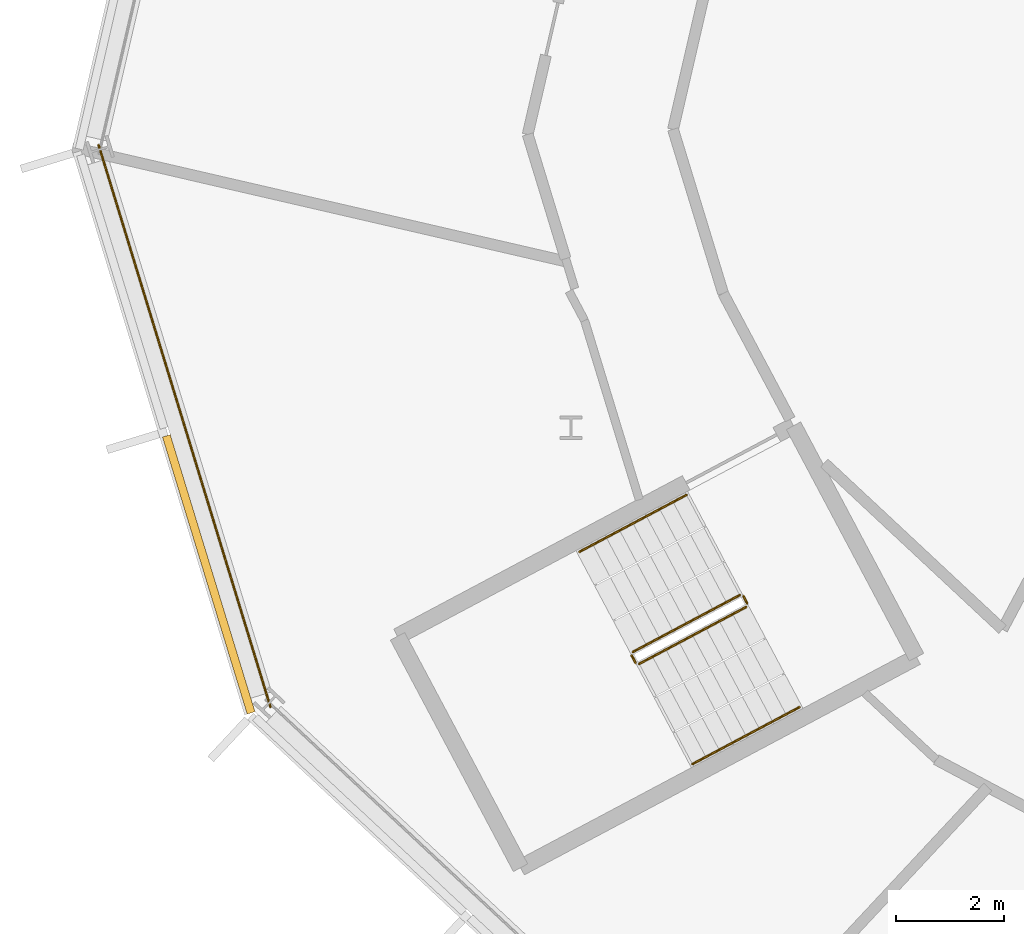
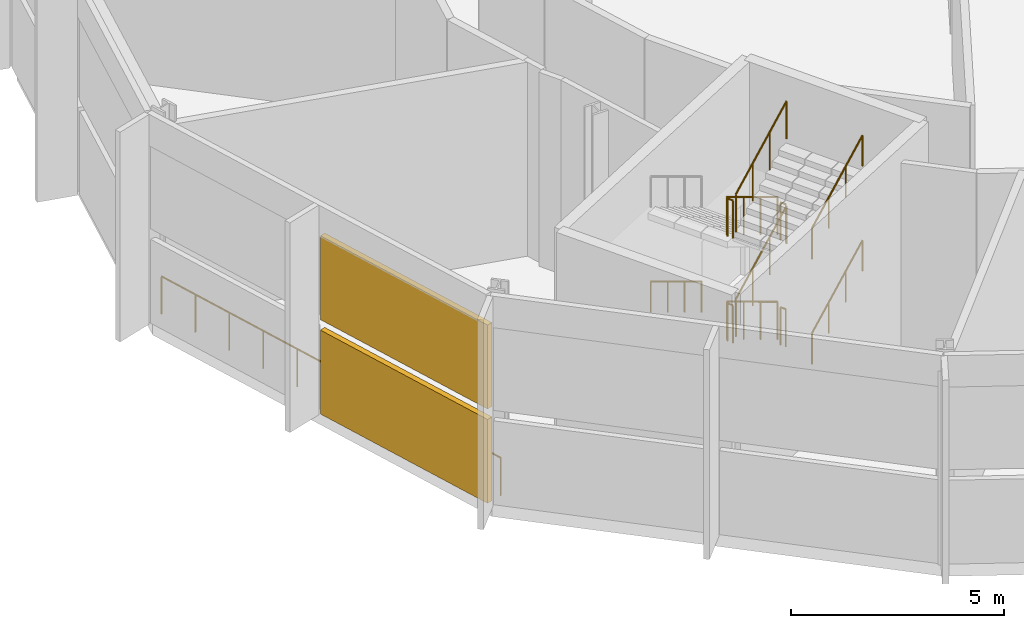
# One storey, part 24 of 33: 12 railings, 2 shading devices, 1 element without a shape of its own.
"""IFC4 building model written with IfcOpenShell, lengths in metres."""

from ifc_helpers import new_model, si_unit, direction, frame, origin, origin_2d, place, context, subcontext, project, spatial, polyline, rectangle, outline, extrude, material, layer, layer_set, type_object, element, aggregate, save


model = new_model("IFC4")

# Units and contexts
model_context = context("Model", 3, precision=1e-05, world=origin(), true_north=direction((0.0, 1.0)))
body_context = subcontext(model_context, "Body", "Model", "MODEL_VIEW")
ifc_project = project(units=[si_unit("LENGTHUNIT", "METRE"), si_unit("AREAUNIT", "SQUARE_METRE"), si_unit("VOLUMEUNIT", "CUBIC_METRE"), si_unit("PLANEANGLEUNIT", "RADIAN"), si_unit("MASSUNIT", "GRAM", prefix="KILO")], contexts=[model_context])

# Site, building, storey
site_placement = place(None, origin())
site = spatial("IfcSite", under=ifc_project, at=site_placement, CompositionType="ELEMENT")
building_placement = place(site_placement, origin())
building = spatial("IfcBuilding", under=site, at=building_placement, Name="Cormorant Relay Tower", CompositionType="ELEMENT")
storey_placement = place(building_placement, frame((0.0, 0.0, 252.0)))
storey = spatial("IfcBuildingStorey", under=building, at=storey_placement, Name="L56", CompositionType="ELEMENT", Elevation=252.0)

# Railing
ifc_material_1 = material(Name="Stainless steel 316 guard", Category="steel")
railing_type_1 = type_object("IfcRailingType", Name="Band louvre guard 1100", PredefinedType="GUARDRAIL", material=ifc_material_1)
railing_1_placement = place(storey_placement, frame((-60.43310546875, 20.48095703125, 0.0)))
element("IfcRailing", 1, at=railing_1_placement, inside=storey, type_object=railing_type_1, Name="CW4 guard 14", PredefinedType="GUARDRAIL", context=body_context, shape_type="SweptSolid", body=[
    extrude(outline(polyline([(0.022216796875, 0.00927734375), (0.00927734375, 0.022216796875), (-0.00927734375, 0.022216796875), (-0.022216796875, 0.00927734375), (-0.022216796875, -0.00927734375), (-0.00927734375, -0.022216796875), (0.00927734375, -0.022216796875), (0.022216796875, -0.00927734375), (0.022216796875, 0.00927734375)])), frame((0.0, 0.0, 1.076171875), z_axis=(0.292377729282, -0.95630291405, 0.0), x_axis=(0.95630291405, 0.292377729282, 0.0)), (0.0, 0.0, 1.0), 10.870361328125),
    extrude(outline(polyline([(0.019287109375, 0.008056640625), (0.008056640625, 0.019287109375), (-0.008056640625, 0.019287109375), (-0.019287109375, 0.008056640625), (-0.019287109375, -0.008056640625), (-0.008056640625, -0.019287109375), (0.008056640625, -0.019287109375), (0.019287109375, -0.008056640625), (0.019287109375, 0.008056640625)])), origin(), (0.0, 0.0, 1.0), 1.052001953125),
    extrude(outline(polyline([(0.019287109375, 0.008056640625), (0.008056640625, 0.019287109375), (-0.008056640625, 0.019287109375), (-0.019287109375, 0.008056640625), (-0.019287109375, -0.008056640625), (-0.008056640625, -0.019287109375), (0.008056640625, -0.019287109375), (0.019287109375, -0.008056640625), (0.019287109375, 0.008056640625)])), frame((0.31787109375, -1.03955078125, 0.0)), (0.0, 0.0, 1.0), 1.052001953125),
    extrude(outline(polyline([(0.019287109375, 0.008056640625), (0.008056640625, 0.019287109375), (-0.008056640625, 0.019287109375), (-0.019287109375, 0.008056640625), (-0.019287109375, -0.008056640625), (-0.008056640625, -0.019287109375), (0.008056640625, -0.019287109375), (0.019287109375, -0.008056640625), (0.019287109375, 0.008056640625)])), frame((0.6357421875, -2.0791015625, 0.0)), (0.0, 0.0, 1.0), 1.052001953125),
    extrude(outline(polyline([(0.019287109375, 0.008056640625), (0.008056640625, 0.019287109375), (-0.008056640625, 0.019287109375), (-0.019287109375, 0.008056640625), (-0.019287109375, -0.008056640625), (-0.008056640625, -0.019287109375), (0.008056640625, -0.019287109375), (0.019287109375, -0.008056640625), (0.019287109375, 0.008056640625)])), frame((0.953369140625, -3.11865234375, 0.0)), (0.0, 0.0, 1.0), 1.052001953125),
    extrude(outline(polyline([(0.019287109375, 0.008056640625), (0.008056640625, 0.019287109375), (-0.008056640625, 0.019287109375), (-0.019287109375, 0.008056640625), (-0.019287109375, -0.008056640625), (-0.008056640625, -0.019287109375), (0.008056640625, -0.019287109375), (0.019287109375, -0.008056640625), (0.019287109375, 0.008056640625)])), frame((1.271240234375, -4.158203125, 0.0)), (0.0, 0.0, 1.0), 1.052001953125),
    extrude(outline(polyline([(0.019287109375, 0.008056640625), (0.008056640625, 0.019287109375), (-0.008056640625, 0.019287109375), (-0.019287109375, 0.008056640625), (-0.019287109375, -0.008056640625), (-0.008056640625, -0.019287109375), (0.008056640625, -0.019287109375), (0.019287109375, -0.008056640625), (0.019287109375, 0.008056640625)])), frame((1.589111328125, -5.19775390625, 0.0)), (0.0, 0.0, 1.0), 1.052001953125),
    extrude(outline(polyline([(0.019287109375, 0.008056640625), (0.008056640625, 0.019287109375), (-0.008056640625, 0.019287109375), (-0.019287109375, 0.008056640625), (-0.019287109375, -0.008056640625), (-0.008056640625, -0.019287109375), (0.008056640625, -0.019287109375), (0.019287109375, -0.008056640625), (0.019287109375, 0.008056640625)])), frame((1.906982421875, -6.237060546875, 0.0)), (0.0, 0.0, 1.0), 1.052001953125),
    extrude(outline(polyline([(0.019287109375, 0.008056640625), (0.008056640625, 0.019287109375), (-0.008056640625, 0.019287109375), (-0.019287109375, 0.008056640625), (-0.019287109375, -0.008056640625), (-0.008056640625, -0.019287109375), (0.008056640625, -0.019287109375), (0.019287109375, -0.008056640625), (0.019287109375, 0.008056640625)])), frame((2.224853515625, -7.276611328125, 0.0)), (0.0, 0.0, 1.0), 1.052001953125),
    extrude(outline(polyline([(0.019287109375, 0.008056640625), (0.008056640625, 0.019287109375), (-0.008056640625, 0.019287109375), (-0.019287109375, 0.008056640625), (-0.019287109375, -0.008056640625), (-0.008056640625, -0.019287109375), (0.008056640625, -0.019287109375), (0.019287109375, -0.008056640625), (0.019287109375, 0.008056640625)])), frame((2.54248046875, -8.316162109375, 0.0)), (0.0, 0.0, 1.0), 1.052001953125),
    extrude(outline(polyline([(0.019287109375, 0.008056640625), (0.008056640625, 0.019287109375), (-0.008056640625, 0.019287109375), (-0.019287109375, 0.008056640625), (-0.019287109375, -0.008056640625), (-0.008056640625, -0.019287109375), (0.008056640625, -0.019287109375), (0.019287109375, -0.008056640625), (0.019287109375, 0.008056640625)])), frame((2.8603515625, -9.355712890625, 0.0)), (0.0, 0.0, 1.0), 1.052001953125),
    extrude(outline(polyline([(0.019287109375, 0.008056640625), (0.008056640625, 0.019287109375), (-0.008056640625, 0.019287109375), (-0.019287109375, 0.008056640625), (-0.019287109375, -0.008056640625), (-0.008056640625, -0.019287109375), (0.008056640625, -0.019287109375), (0.019287109375, -0.008056640625), (0.019287109375, 0.008056640625)])), frame((3.17822265625, -10.395263671875, 0.0)), (0.0, 0.0, 1.0), 1.052001953125),
])

# Curtain wall, shading devices
ifc_material_2 = material(Name="Aluminium 6063-T6 anodised bronze", Category="aluminium")
ifc_layer = layer(ifc_material_2, 0.199951171875)
ifc_layer_set = layer_set([ifc_layer], Name="CW4 band louvre wall")
curtain_wall_type = type_object("IfcCurtainWallType", Name="CW4 band louvre wall", PredefinedType="NOTDEFINED", material=ifc_layer_set)
curtain_wall_placement = place(storey_placement, origin())
curtain_wall = element("IfcCurtainWall", 2, at=curtain_wall_placement, inside=storey, type_object=curtain_wall_type, Name="CW4 curtain wall 14", PredefinedType="NOTDEFINED")
ifc_material_3 = material(Name="Aluminium 6063-T6 anodised bronze louvre", Category="aluminium")
shading_device_type = type_object("IfcShadingDeviceType", Name="CW4 bronze louvre bank 150 x 2400", PredefinedType="USERDEFINED", material=ifc_material_3)
shading_device_1_placement = place(storey_placement, frame((-58.39697265625, 12.5390625, 2.699951171875), z_axis=(0.0, 0.0, 1.0), x_axis=(0.292371704723, -0.956304755963, 0.0)))
shading_device_1 = element("IfcShadingDevice", 3, at=shading_device_1_placement, type_object=shading_device_type, Name="CW4 louvre bank U14.2", ObjectType="LOUVRE", PredefinedType="USERDEFINED", context=body_context, shape_type="SweptSolid", body=[
    extrude(rectangle(XDim=5.360107421875, YDim=0.14990234375, at=origin_2d()), origin(), (0.0, 0.0, 1.0), 2.39990234375),
])
shading_device_2_placement = place(storey_placement, frame((-58.39697265625, 12.5390625, 0.0), z_axis=(0.0, 0.0, 1.0), x_axis=(0.292371704723, -0.956304755963, 0.0)))
shading_device_2 = element("IfcShadingDevice", 4, at=shading_device_2_placement, type_object=shading_device_type, Name="CW4 louvre bank D14.2", ObjectType="LOUVRE", PredefinedType="USERDEFINED", context=body_context, shape_type="SweptSolid", body=[
    extrude(rectangle(XDim=5.360107421875, YDim=0.14990234375, at=origin_2d()), origin(), (0.0, 0.0, 1.0), 2.39990234375),
])
aggregate(curtain_wall, [shading_device_1, shading_device_2])

# Railings
ifc_material_4 = material(Name="Steel ASTM A572 Grade 50 (Fy 345 MPa)", Category="steel")
railing_type_2 = type_object("IfcRailingType", Name="Stair guard 1100", PredefinedType="GUARDRAIL", material=ifc_material_4)
railing_2_placement = place(storey_placement, frame((-48.5693359375, 12.155517578125, 0.166748046875)))
element("IfcRailing", 5, at=railing_2_placement, inside=storey, type_object=railing_type_2, Name="L56 RP1 stair guard 1", PredefinedType="GUARDRAIL", context=body_context, shape_type="SweptSolid", body=[
    extrude(outline(polyline([(0.022216796875, 0.00927734375), (0.00927734375, 0.022216796875), (-0.00927734375, 0.022216796875), (-0.022216796875, 0.00927734375), (-0.022216796875, -0.00927734375), (-0.00927734375, -0.022216796875), (0.00927734375, -0.022216796875), (0.022216796875, -0.00927734375), (0.022216796875, 0.00927734375)])), frame((0.0, 0.0, 1.076171875), z_axis=(-0.758702922872, -0.403467743702, 0.511452494976), x_axis=(0.469524402671, -0.882919495366, 0.0)), (0.0, 0.0, 1.0), 2.606689453125),
    extrude(outline(polyline([(0.019287109375, 0.008056640625), (0.008056640625, 0.019287109375), (-0.008056640625, 0.019287109375), (-0.019287109375, 0.008056640625), (-0.019287109375, -0.008056640625), (-0.008056640625, -0.019287109375), (0.008056640625, -0.019287109375), (0.019287109375, -0.008056640625), (0.019287109375, 0.008056640625)])), origin(), (0.0, 0.0, 1.0), 1.052001953125),
    extrude(outline(polyline([(0.019287109375, 0.008056640625), (0.008056640625, 0.019287109375), (-0.008056640625, 0.019287109375), (-0.019287109375, 0.008056640625), (-0.019287109375, -0.008056640625), (-0.008056640625, -0.019287109375), (0.008056640625, -0.019287109375), (0.019287109375, -0.008056640625), (0.019287109375, 0.008056640625)])), frame((-0.6591796875, -0.3505859375, 0.4443359375)), (0.0, 0.0, 1.0), 1.052001953125),
    extrude(outline(polyline([(0.019287109375, 0.008056640625), (0.008056640625, 0.019287109375), (-0.008056640625, 0.019287109375), (-0.019287109375, 0.008056640625), (-0.019287109375, -0.008056640625), (-0.008056640625, -0.019287109375), (0.008056640625, -0.019287109375), (0.019287109375, -0.008056640625), (0.019287109375, 0.008056640625)])), frame((-1.318603515625, -0.701171875, 0.888916015625)), (0.0, 0.0, 1.0), 1.052001953125),
    extrude(outline(polyline([(0.019287109375, 0.008056640625), (0.008056640625, 0.019287109375), (-0.008056640625, 0.019287109375), (-0.019287109375, 0.008056640625), (-0.019287109375, -0.008056640625), (-0.008056640625, -0.019287109375), (0.008056640625, -0.019287109375), (0.019287109375, -0.008056640625), (0.019287109375, 0.008056640625)])), frame((-1.977783203125, -1.0517578125, 1.333251953125)), (0.0, 0.0, 1.0), 1.052001953125),
])
railing_3_placement = place(storey_placement, frame((-50.56787109375, 11.0361328125, 1.5)))
element("IfcRailing", 6, at=railing_3_placement, inside=storey, type_object=railing_type_2, Name="L56 RP1 stair guard 2", PredefinedType="GUARDRAIL", context=body_context, shape_type="SweptSolid", body=[
    extrude(outline(polyline([(0.022216796875, 0.00927734375), (0.00927734375, 0.022216796875), (-0.00927734375, 0.022216796875), (-0.022216796875, 0.00927734375), (-0.022216796875, -0.00927734375), (-0.00927734375, -0.022216796875), (0.00927734375, -0.022216796875), (0.022216796875, -0.00927734375), (0.022216796875, 0.00927734375)])), frame((0.0, 0.0, 1.076171875), z_axis=(0.470503732759, -0.882398003998, 0.0), x_axis=(0.882398003998, 0.470503732759, 0.0)), (0.0, 0.0, 1.0), 0.14990234375),
    extrude(outline(polyline([(0.019287109375, 0.008056640625), (0.008056640625, 0.019287109375), (-0.008056640625, 0.019287109375), (-0.019287109375, 0.008056640625), (-0.019287109375, -0.008056640625), (-0.008056640625, -0.019287109375), (0.008056640625, -0.019287109375), (0.019287109375, -0.008056640625), (0.019287109375, 0.008056640625)])), origin(), (0.0, 0.0, 1.0), 1.052001953125),
    extrude(outline(polyline([(0.019287109375, 0.008056640625), (0.008056640625, 0.019287109375), (-0.008056640625, 0.019287109375), (-0.019287109375, 0.008056640625), (-0.019287109375, -0.008056640625), (-0.008056640625, -0.019287109375), (0.008056640625, -0.019287109375), (0.019287109375, -0.008056640625), (0.019287109375, 0.008056640625)])), frame((0.070556640625, -0.13232421875, 0.0)), (0.0, 0.0, 1.0), 1.052001953125),
])
railing_4_placement = place(storey_placement, frame((-50.429931640625, 10.883056640625, 1.666748046875)))
element("IfcRailing", 7, at=railing_4_placement, inside=storey, type_object=railing_type_2, Name="L56 RP1 stair guard 3", PredefinedType="GUARDRAIL", context=body_context, shape_type="SweptSolid", body=[
    extrude(outline(polyline([(0.022216796875, 0.00927734375), (0.00927734375, 0.022216796875), (-0.00927734375, 0.022216796875), (-0.022216796875, 0.00927734375), (-0.022216796875, -0.00927734375), (-0.00927734375, -0.022216796875), (0.00927734375, -0.022216796875), (0.022216796875, -0.00927734375), (0.022216796875, 0.00927734375)])), frame((0.0, 0.0, 1.076171875), z_axis=(0.758771327995, 0.403360665228, 0.511435475461), x_axis=(-0.469394259828, 0.88298869123, 0.0)), (0.0, 0.0, 1.0), 2.60693359375),
    extrude(outline(polyline([(0.019287109375, 0.008056640625), (0.008056640625, 0.019287109375), (-0.008056640625, 0.019287109375), (-0.019287109375, 0.008056640625), (-0.019287109375, -0.008056640625), (-0.008056640625, -0.019287109375), (0.008056640625, -0.019287109375), (0.019287109375, -0.008056640625), (0.019287109375, 0.008056640625)])), origin(), (0.0, 0.0, 1.0), 1.052001953125),
    extrude(outline(polyline([(0.019287109375, 0.008056640625), (0.008056640625, 0.019287109375), (-0.008056640625, 0.019287109375), (-0.019287109375, 0.008056640625), (-0.019287109375, -0.008056640625), (-0.008056640625, -0.019287109375), (0.008056640625, -0.019287109375), (0.019287109375, -0.008056640625), (0.019287109375, 0.008056640625)])), frame((0.659423828125, 0.3505859375, 0.4443359375)), (0.0, 0.0, 1.0), 1.052001953125),
    extrude(outline(polyline([(0.019287109375, 0.008056640625), (0.008056640625, 0.019287109375), (-0.008056640625, 0.019287109375), (-0.019287109375, 0.008056640625), (-0.019287109375, -0.008056640625), (-0.008056640625, -0.019287109375), (0.008056640625, -0.019287109375), (0.019287109375, -0.008056640625), (0.019287109375, 0.008056640625)])), frame((1.318603515625, 0.700927734375, 0.888916015625)), (0.0, 0.0, 1.0), 1.052001953125),
    extrude(outline(polyline([(0.019287109375, 0.008056640625), (0.008056640625, 0.019287109375), (-0.008056640625, 0.019287109375), (-0.019287109375, 0.008056640625), (-0.019287109375, -0.008056640625), (-0.008056640625, -0.019287109375), (0.008056640625, -0.019287109375), (0.019287109375, -0.008056640625), (0.019287109375, 0.008056640625)])), frame((1.97802734375, 1.051513671875, 1.333251953125)), (0.0, 0.0, 1.0), 1.052001953125),
])
railing_5_placement = place(storey_placement, frame((-48.501708984375, 12.134765625, 3.0)))
element("IfcRailing", 8, at=railing_5_placement, inside=storey, type_object=railing_type_2, Name="L56 RP1 stair guard 4", PredefinedType="GUARDRAIL", context=body_context, shape_type="SweptSolid", body=[
    extrude(outline(polyline([(0.022216796875, 0.00927734375), (0.00927734375, 0.022216796875), (-0.00927734375, 0.022216796875), (-0.022216796875, 0.00927734375), (-0.022216796875, -0.00927734375), (-0.00927734375, -0.022216796875), (0.00927734375, -0.022216796875), (0.022216796875, -0.00927734375), (0.022216796875, 0.00927734375)])), frame((0.0, 0.0, 1.076171875), z_axis=(0.46856034887, -0.8834314911, 0.0), x_axis=(0.8834314911, 0.46856034887, 0.0)), (0.0, 0.0, 1.0), 0.150146484375),
    extrude(outline(polyline([(0.019287109375, 0.008056640625), (0.008056640625, 0.019287109375), (-0.008056640625, 0.019287109375), (-0.019287109375, 0.008056640625), (-0.019287109375, -0.008056640625), (-0.008056640625, -0.019287109375), (0.008056640625, -0.019287109375), (0.019287109375, -0.008056640625), (0.019287109375, 0.008056640625)])), origin(), (0.0, 0.0, 1.0), 1.052001953125),
    extrude(outline(polyline([(0.019287109375, 0.008056640625), (0.008056640625, 0.019287109375), (-0.008056640625, 0.019287109375), (-0.019287109375, 0.008056640625), (-0.019287109375, -0.008056640625), (-0.008056640625, -0.019287109375), (0.008056640625, -0.019287109375), (0.019287109375, -0.008056640625), (0.019287109375, 0.008056640625)])), frame((0.0703125, -0.132568359375, 0.0)), (0.0, 0.0, 1.0), 1.052001953125),
])
railing_6_placement = place(storey_placement, frame((-48.5693359375, 12.155517578125, 3.166748046875)))
element("IfcRailing", 9, at=railing_6_placement, inside=storey, type_object=railing_type_2, Name="L56 RP1 stair guard 5", PredefinedType="GUARDRAIL", context=body_context, shape_type="SweptSolid", body=[
    extrude(outline(polyline([(0.022216796875, 0.00927734375), (0.00927734375, 0.022216796875), (-0.00927734375, 0.022216796875), (-0.022216796875, 0.00927734375), (-0.022216796875, -0.00927734375), (-0.00927734375, -0.022216796875), (0.00927734375, -0.022216796875), (0.022216796875, -0.00927734375), (0.022216796875, 0.00927734375)])), frame((0.0, 0.0, 1.076171875), z_axis=(-0.758702922872, -0.403467743702, 0.511452494976), x_axis=(0.469524402671, -0.882919495366, 0.0)), (0.0, 0.0, 1.0), 2.606689453125),
    extrude(outline(polyline([(0.019287109375, 0.008056640625), (0.008056640625, 0.019287109375), (-0.008056640625, 0.019287109375), (-0.019287109375, 0.008056640625), (-0.019287109375, -0.008056640625), (-0.008056640625, -0.019287109375), (0.008056640625, -0.019287109375), (0.019287109375, -0.008056640625), (0.019287109375, 0.008056640625)])), origin(), (0.0, 0.0, 1.0), 1.052001953125),
    extrude(outline(polyline([(0.019287109375, 0.008056640625), (0.008056640625, 0.019287109375), (-0.008056640625, 0.019287109375), (-0.019287109375, 0.008056640625), (-0.019287109375, -0.008056640625), (-0.008056640625, -0.019287109375), (0.008056640625, -0.019287109375), (0.019287109375, -0.008056640625), (0.019287109375, 0.008056640625)])), frame((-0.6591796875, -0.3505859375, 0.4443359375)), (0.0, 0.0, 1.0), 1.052001953125),
    extrude(outline(polyline([(0.019287109375, 0.008056640625), (0.008056640625, 0.019287109375), (-0.008056640625, 0.019287109375), (-0.019287109375, 0.008056640625), (-0.019287109375, -0.008056640625), (-0.008056640625, -0.019287109375), (0.008056640625, -0.019287109375), (0.019287109375, -0.008056640625), (0.019287109375, 0.008056640625)])), frame((-1.318603515625, -0.701171875, 0.888916015625)), (0.0, 0.0, 1.0), 1.052001953125),
    extrude(outline(polyline([(0.019287109375, 0.008056640625), (0.008056640625, 0.019287109375), (-0.008056640625, 0.019287109375), (-0.019287109375, 0.008056640625), (-0.019287109375, -0.008056640625), (-0.008056640625, -0.019287109375), (0.008056640625, -0.019287109375), (0.019287109375, -0.008056640625), (0.019287109375, 0.008056640625)])), frame((-1.977783203125, -1.0517578125, 1.333251953125)), (0.0, 0.0, 1.0), 1.052001953125),
])
railing_7_placement = place(storey_placement, frame((-50.56787109375, 11.0361328125, 4.5)))
element("IfcRailing", 10, at=railing_7_placement, inside=storey, type_object=railing_type_2, Name="L56 RP1 stair guard 6", PredefinedType="GUARDRAIL", context=body_context, shape_type="SweptSolid", body=[
    extrude(outline(polyline([(0.022216796875, 0.00927734375), (0.00927734375, 0.022216796875), (-0.00927734375, 0.022216796875), (-0.022216796875, 0.00927734375), (-0.022216796875, -0.00927734375), (-0.00927734375, -0.022216796875), (0.00927734375, -0.022216796875), (0.022216796875, -0.00927734375), (0.022216796875, 0.00927734375)])), frame((0.0, 0.0, 1.076171875), z_axis=(0.470503732759, -0.882398003998, 0.0), x_axis=(0.882398003998, 0.470503732759, 0.0)), (0.0, 0.0, 1.0), 0.14990234375),
    extrude(outline(polyline([(0.019287109375, 0.008056640625), (0.008056640625, 0.019287109375), (-0.008056640625, 0.019287109375), (-0.019287109375, 0.008056640625), (-0.019287109375, -0.008056640625), (-0.008056640625, -0.019287109375), (0.008056640625, -0.019287109375), (0.019287109375, -0.008056640625), (0.019287109375, 0.008056640625)])), origin(), (0.0, 0.0, 1.0), 1.052001953125),
    extrude(outline(polyline([(0.019287109375, 0.008056640625), (0.008056640625, 0.019287109375), (-0.008056640625, 0.019287109375), (-0.019287109375, 0.008056640625), (-0.019287109375, -0.008056640625), (-0.008056640625, -0.019287109375), (0.008056640625, -0.019287109375), (0.019287109375, -0.008056640625), (0.019287109375, 0.008056640625)])), frame((0.070556640625, -0.13232421875, 0.0)), (0.0, 0.0, 1.0), 1.052001953125),
])
railing_8_placement = place(storey_placement, frame((-50.429931640625, 10.883056640625, 4.666748046875)))
element("IfcRailing", 11, at=railing_8_placement, inside=storey, type_object=railing_type_2, Name="L56 RP1 stair guard 7", PredefinedType="GUARDRAIL", context=body_context, shape_type="SweptSolid", body=[
    extrude(outline(polyline([(0.022216796875, 0.00927734375), (0.00927734375, 0.022216796875), (-0.00927734375, 0.022216796875), (-0.022216796875, 0.00927734375), (-0.022216796875, -0.00927734375), (-0.00927734375, -0.022216796875), (0.00927734375, -0.022216796875), (0.022216796875, -0.00927734375), (0.022216796875, 0.00927734375)])), frame((0.0, 0.0, 1.076171875), z_axis=(0.758771327995, 0.403360665228, 0.511435475461), x_axis=(-0.469394259828, 0.88298869123, 0.0)), (0.0, 0.0, 1.0), 2.60693359375),
    extrude(outline(polyline([(0.019287109375, 0.008056640625), (0.008056640625, 0.019287109375), (-0.008056640625, 0.019287109375), (-0.019287109375, 0.008056640625), (-0.019287109375, -0.008056640625), (-0.008056640625, -0.019287109375), (0.008056640625, -0.019287109375), (0.019287109375, -0.008056640625), (0.019287109375, 0.008056640625)])), origin(), (0.0, 0.0, 1.0), 1.052001953125),
    extrude(outline(polyline([(0.019287109375, 0.008056640625), (0.008056640625, 0.019287109375), (-0.008056640625, 0.019287109375), (-0.019287109375, 0.008056640625), (-0.019287109375, -0.008056640625), (-0.008056640625, -0.019287109375), (0.008056640625, -0.019287109375), (0.019287109375, -0.008056640625), (0.019287109375, 0.008056640625)])), frame((0.659423828125, 0.3505859375, 0.4443359375)), (0.0, 0.0, 1.0), 1.052001953125),
    extrude(outline(polyline([(0.019287109375, 0.008056640625), (0.008056640625, 0.019287109375), (-0.008056640625, 0.019287109375), (-0.019287109375, 0.008056640625), (-0.019287109375, -0.008056640625), (-0.008056640625, -0.019287109375), (0.008056640625, -0.019287109375), (0.019287109375, -0.008056640625), (0.019287109375, 0.008056640625)])), frame((1.318603515625, 0.700927734375, 0.888916015625)), (0.0, 0.0, 1.0), 1.052001953125),
    extrude(outline(polyline([(0.019287109375, 0.008056640625), (0.008056640625, 0.019287109375), (-0.008056640625, 0.019287109375), (-0.019287109375, 0.008056640625), (-0.019287109375, -0.008056640625), (-0.008056640625, -0.019287109375), (0.008056640625, -0.019287109375), (0.019287109375, -0.008056640625), (0.019287109375, 0.008056640625)])), frame((1.97802734375, 1.051513671875, 1.333251953125)), (0.0, 0.0, 1.0), 1.052001953125),
])
railing_9_placement = place(storey_placement, frame((-48.501708984375, 12.134765625, 0.0)))
element("IfcRailing", 12, at=railing_9_placement, inside=storey, type_object=railing_type_2, Name="L56 RP1 stair guard 8", PredefinedType="GUARDRAIL", context=body_context, shape_type="SweptSolid", body=[
    extrude(outline(polyline([(0.022216796875, 0.00927734375), (0.00927734375, 0.022216796875), (-0.00927734375, 0.022216796875), (-0.022216796875, 0.00927734375), (-0.022216796875, -0.00927734375), (-0.00927734375, -0.022216796875), (0.00927734375, -0.022216796875), (0.022216796875, -0.00927734375), (0.022216796875, 0.00927734375)])), frame((0.0, 0.0, 1.076171875), z_axis=(0.46856034887, -0.8834314911, 0.0), x_axis=(0.8834314911, 0.46856034887, 0.0)), (0.0, 0.0, 1.0), 0.150146484375),
    extrude(outline(polyline([(0.019287109375, 0.008056640625), (0.008056640625, 0.019287109375), (-0.008056640625, 0.019287109375), (-0.019287109375, 0.008056640625), (-0.019287109375, -0.008056640625), (-0.008056640625, -0.019287109375), (0.008056640625, -0.019287109375), (0.019287109375, -0.008056640625), (0.019287109375, 0.008056640625)])), origin(), (0.0, 0.0, 1.0), 1.052001953125),
    extrude(outline(polyline([(0.019287109375, 0.008056640625), (0.008056640625, 0.019287109375), (-0.008056640625, 0.019287109375), (-0.019287109375, 0.008056640625), (-0.019287109375, -0.008056640625), (-0.008056640625, -0.019287109375), (0.008056640625, -0.019287109375), (0.019287109375, -0.008056640625), (0.019287109375, 0.008056640625)])), frame((0.0703125, -0.132568359375, 0.0)), (0.0, 0.0, 1.0), 1.052001953125),
])
ifc_material_5 = material(Name="Steel ASTM A572 Grade 50 (Fy 345 MPa)", Category="steel")
railing_type_3 = type_object("IfcRailingType", Name="Stair handrail 900", PredefinedType="HANDRAIL", material=ifc_material_5)
railing_10_placement = place(storey_placement, frame((-49.55517578125, 14.009521484375, 0.166748046875)))
element("IfcRailing", 13, at=railing_10_placement, inside=storey, type_object=railing_type_3, Name="L56 RP1 stair handrail 1", PredefinedType="HANDRAIL", context=body_context, shape_type="SweptSolid", body=[
    extrude(outline(polyline([(0.022216796875, 0.00927734375), (0.00927734375, 0.022216796875), (-0.00927734375, 0.022216796875), (-0.022216796875, 0.00927734375), (-0.022216796875, -0.00927734375), (-0.00927734375, -0.022216796875), (0.00927734375, -0.022216796875), (0.022216796875, -0.00927734375), (0.022216796875, 0.00927734375)])), frame((0.0, 0.0, 0.8759765625), z_axis=(-0.758731590246, -0.403389329612, 0.511471820063), x_axis=(0.469439434157, -0.882964675204, 0.0)), (0.0, 0.0, 1.0), 2.606689453125),
    extrude(outline(polyline([(0.019287109375, 0.008056640625), (0.008056640625, 0.019287109375), (-0.008056640625, 0.019287109375), (-0.019287109375, 0.008056640625), (-0.019287109375, -0.008056640625), (-0.008056640625, -0.019287109375), (0.008056640625, -0.019287109375), (0.019287109375, -0.008056640625), (0.019287109375, 0.008056640625)])), origin(), (0.0, 0.0, 1.0), 0.851806640625),
    extrude(outline(polyline([(0.019287109375, 0.008056640625), (0.008056640625, 0.019287109375), (-0.008056640625, 0.019287109375), (-0.019287109375, 0.008056640625), (-0.019287109375, -0.008056640625), (-0.008056640625, -0.019287109375), (0.008056640625, -0.019287109375), (0.019287109375, -0.008056640625), (0.019287109375, 0.008056640625)])), frame((-0.6591796875, -0.3505859375, 0.4443359375)), (0.0, 0.0, 1.0), 0.851806640625),
    extrude(outline(polyline([(0.019287109375, 0.008056640625), (0.008056640625, 0.019287109375), (-0.008056640625, 0.019287109375), (-0.019287109375, 0.008056640625), (-0.019287109375, -0.008056640625), (-0.008056640625, -0.019287109375), (0.008056640625, -0.019287109375), (0.019287109375, -0.008056640625), (0.019287109375, 0.008056640625)])), frame((-1.318603515625, -0.700927734375, 0.888916015625)), (0.0, 0.0, 1.0), 0.851806640625),
    extrude(outline(polyline([(0.019287109375, 0.008056640625), (0.008056640625, 0.019287109375), (-0.008056640625, 0.019287109375), (-0.019287109375, 0.008056640625), (-0.019287109375, -0.008056640625), (-0.008056640625, -0.019287109375), (0.008056640625, -0.019287109375), (0.019287109375, -0.008056640625), (0.019287109375, 0.008056640625)])), frame((-1.977783203125, -1.051513671875, 1.333251953125)), (0.0, 0.0, 1.0), 0.851806640625),
])
railing_11_placement = place(storey_placement, frame((-49.44384765625, 9.02880859375, 1.666748046875)))
element("IfcRailing", 14, at=railing_11_placement, inside=storey, type_object=railing_type_3, Name="L56 RP1 stair handrail 2", PredefinedType="HANDRAIL", context=body_context, shape_type="SweptSolid", body=[
    extrude(outline(polyline([(0.022216796875, 0.00927734375), (0.00927734375, 0.022216796875), (-0.00927734375, 0.022216796875), (-0.022216796875, 0.00927734375), (-0.022216796875, -0.00927734375), (-0.00927734375, -0.022216796875), (0.00927734375, -0.022216796875), (0.022216796875, -0.00927734375), (0.022216796875, 0.00927734375)])), frame((0.0, 0.0, 0.8759765625), z_axis=(0.758702922872, 0.403467743702, 0.511452494976), x_axis=(-0.469524402671, 0.882919495366, 0.0)), (0.0, 0.0, 1.0), 2.606689453125),
    extrude(outline(polyline([(0.019287109375, 0.008056640625), (0.008056640625, 0.019287109375), (-0.008056640625, 0.019287109375), (-0.019287109375, 0.008056640625), (-0.019287109375, -0.008056640625), (-0.008056640625, -0.019287109375), (0.008056640625, -0.019287109375), (0.019287109375, -0.008056640625), (0.019287109375, 0.008056640625)])), origin(), (0.0, 0.0, 1.0), 0.851806640625),
    extrude(outline(polyline([(0.019287109375, 0.008056640625), (0.008056640625, 0.019287109375), (-0.008056640625, 0.019287109375), (-0.019287109375, 0.008056640625), (-0.019287109375, -0.008056640625), (-0.008056640625, -0.019287109375), (0.008056640625, -0.019287109375), (0.019287109375, -0.008056640625), (0.019287109375, 0.008056640625)])), frame((0.6591796875, 0.3505859375, 0.4443359375)), (0.0, 0.0, 1.0), 0.851806640625),
    extrude(outline(polyline([(0.019287109375, 0.008056640625), (0.008056640625, 0.019287109375), (-0.008056640625, 0.019287109375), (-0.019287109375, 0.008056640625), (-0.019287109375, -0.008056640625), (-0.008056640625, -0.019287109375), (0.008056640625, -0.019287109375), (0.019287109375, -0.008056640625), (0.019287109375, 0.008056640625)])), frame((1.318603515625, 0.701171875, 0.888916015625)), (0.0, 0.0, 1.0), 0.851806640625),
    extrude(outline(polyline([(0.019287109375, 0.008056640625), (0.008056640625, 0.019287109375), (-0.008056640625, 0.019287109375), (-0.019287109375, 0.008056640625), (-0.019287109375, -0.008056640625), (-0.008056640625, -0.019287109375), (0.008056640625, -0.019287109375), (0.019287109375, -0.008056640625), (0.019287109375, 0.008056640625)])), frame((1.977783203125, 1.0517578125, 1.333251953125)), (0.0, 0.0, 1.0), 0.851806640625),
])
railing_12_placement = place(storey_placement, frame((-49.44384765625, 9.02880859375, 4.666748046875)))
element("IfcRailing", 15, at=railing_12_placement, inside=storey, type_object=railing_type_3, Name="L56 RP1 stair handrail 4", PredefinedType="HANDRAIL", context=body_context, shape_type="SweptSolid", body=[
    extrude(outline(polyline([(0.022216796875, 0.00927734375), (0.00927734375, 0.022216796875), (-0.00927734375, 0.022216796875), (-0.022216796875, 0.00927734375), (-0.022216796875, -0.00927734375), (-0.00927734375, -0.022216796875), (0.00927734375, -0.022216796875), (0.022216796875, -0.00927734375), (0.022216796875, 0.00927734375)])), frame((0.0, 0.0, 0.8759765625), z_axis=(0.758702922872, 0.403467743702, 0.511452494976), x_axis=(-0.469524402671, 0.882919495366, 0.0)), (0.0, 0.0, 1.0), 2.606689453125),
    extrude(outline(polyline([(0.019287109375, 0.008056640625), (0.008056640625, 0.019287109375), (-0.008056640625, 0.019287109375), (-0.019287109375, 0.008056640625), (-0.019287109375, -0.008056640625), (-0.008056640625, -0.019287109375), (0.008056640625, -0.019287109375), (0.019287109375, -0.008056640625), (0.019287109375, 0.008056640625)])), origin(), (0.0, 0.0, 1.0), 0.851806640625),
    extrude(outline(polyline([(0.019287109375, 0.008056640625), (0.008056640625, 0.019287109375), (-0.008056640625, 0.019287109375), (-0.019287109375, 0.008056640625), (-0.019287109375, -0.008056640625), (-0.008056640625, -0.019287109375), (0.008056640625, -0.019287109375), (0.019287109375, -0.008056640625), (0.019287109375, 0.008056640625)])), frame((0.6591796875, 0.3505859375, 0.4443359375)), (0.0, 0.0, 1.0), 0.851806640625),
    extrude(outline(polyline([(0.019287109375, 0.008056640625), (0.008056640625, 0.019287109375), (-0.008056640625, 0.019287109375), (-0.019287109375, 0.008056640625), (-0.019287109375, -0.008056640625), (-0.008056640625, -0.019287109375), (0.008056640625, -0.019287109375), (0.019287109375, -0.008056640625), (0.019287109375, 0.008056640625)])), frame((1.318603515625, 0.701171875, 0.888916015625)), (0.0, 0.0, 1.0), 0.851806640625),
    extrude(outline(polyline([(0.019287109375, 0.008056640625), (0.008056640625, 0.019287109375), (-0.008056640625, 0.019287109375), (-0.019287109375, 0.008056640625), (-0.019287109375, -0.008056640625), (-0.008056640625, -0.019287109375), (0.008056640625, -0.019287109375), (0.019287109375, -0.008056640625), (0.019287109375, 0.008056640625)])), frame((1.977783203125, 1.0517578125, 1.333251953125)), (0.0, 0.0, 1.0), 0.851806640625),
])

save(model, "model.ifc")
